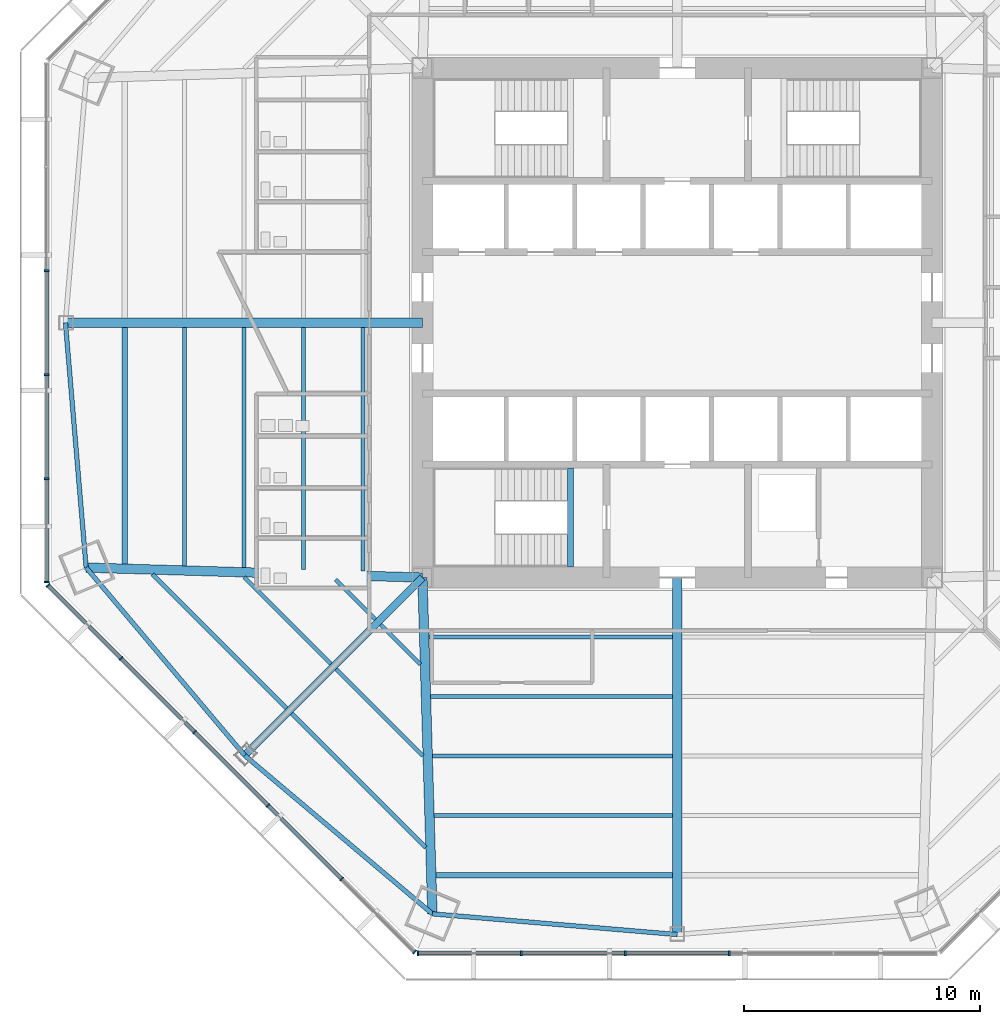
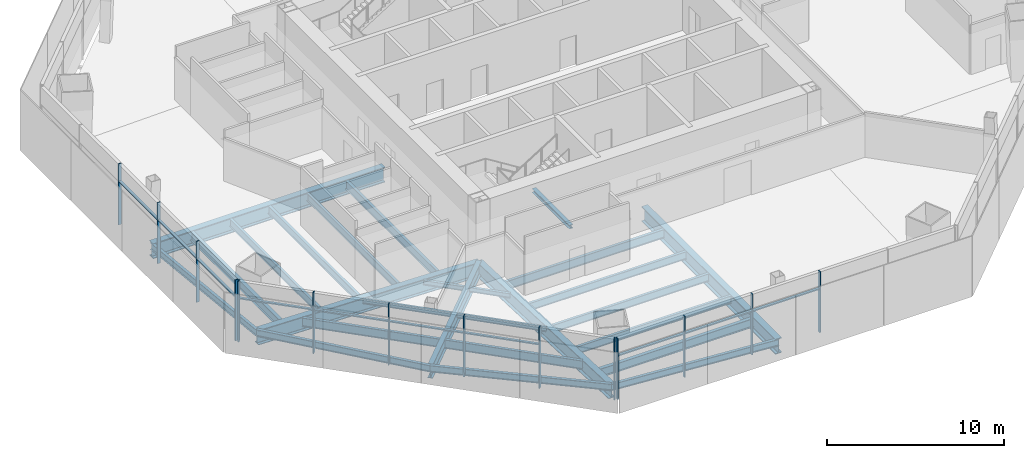
# One storey, part 2 of 13: 26 beams, 24 members, 3 elements without a shape of their own.
"""IFC4 building model written with IfcOpenShell, lengths in metres."""

import ifcopenshell
import ifcopenshell.guid

model = None  # the IFC model being written
_history = None  # IfcOwnerHistory: only IFC2X3 demands one
_inside = {}  # id of a spatial element -> (the spatial element, [elements in it])
_under = {}  # id of a project, library or spatial element -> (it, [spatial elements below it])
_declared = {}  # id of a project -> (the project, [libraries it declares])
_typed = {}  # id of a type object -> (the type object, [elements of that type])
_made_of = {}  # id of a material, layer set ... -> (it, [elements and type objects made of it])


def new_model(schema):
    """Start an empty IFC model of exactly this schema.

    Asked for "IFC4X3", IfcOpenShell would pick the latest addendum, in which some entities
    have other attributes; the version numbers below select the first issue.
    IFC2X3 requires an IfcOwnerHistory on every rooted entity: one is made here for all.
    """
    global model, _history
    if schema == "IFC4X3":
        model = ifcopenshell.file(schema_version=(4, 3, 0, 0))
    else:
        model = ifcopenshell.file(schema=schema)
    _inside.clear()
    _under.clear()
    _declared.clear()
    _typed.clear()
    _made_of.clear()
    _history = None
    if model.schema == "IFC2X3":
        org = make("IfcOrganization", Name="unknown")
        user = make(
            "IfcPersonAndOrganization",
            ThePerson=make("IfcPerson", FamilyName="unknown"),
            TheOrganization=org,
        )
        app = make(
            "IfcApplication",
            ApplicationDeveloper=org,
            Version="unknown",
            ApplicationFullName="unknown",
            ApplicationIdentifier="unknown",
        )
        _history = make(
            "IfcOwnerHistory",
            OwningUser=user,
            OwningApplication=app,
            ChangeAction="ADDED",
            CreationDate=0,
        )
    return model


def make(cls, **values):
    """One entity of the class cls with the attributes given. An attribute that is None is left unset."""
    return model.create_entity(
        cls, **{name: value for name, value in values.items() if value is not None}
    )


def rooted(cls, **values):
    """An entity with a GlobalId (a new one), such as an element, a storey or a relation."""
    return make(cls, GlobalId=ifcopenshell.guid.new(), OwnerHistory=_history, **values)


def si_unit(unit_type, name, prefix=None):
    """IfcSIUnit, for example si_unit("LENGTHUNIT", "METRE", prefix="MILLI")."""
    return make("IfcSIUnit", UnitType=unit_type, Prefix=prefix, Name=name)


def assignment(units):
    """IfcUnitAssignment: the units of a project."""
    return None if units is None else make("IfcUnitAssignment", Units=units)


def point(xyz):
    """IfcCartesianPoint."""
    return None if xyz is None else make("IfcCartesianPoint", Coordinates=xyz)


def direction(xyz):
    """IfcDirection."""
    return None if xyz is None else make("IfcDirection", DirectionRatios=xyz)


def frame(location, z_axis=None, x_axis=None):
    """IfcAxis2Placement3D, a coordinate frame: its origin and axes. An axis left out is left unset."""
    return make(
        "IfcAxis2Placement3D",
        Location=point(location),
        Axis=direction(z_axis),
        RefDirection=direction(x_axis),
    )


def frame_2d(location, x_axis=None):
    """IfcAxis2Placement2D, a coordinate frame in the plane: its origin and x axis."""
    return make(
        "IfcAxis2Placement2D", Location=point(location), RefDirection=direction(x_axis)
    )


def origin():
    """The frame at (0, 0, 0) with its axes left unset."""
    return frame((0.0, 0.0, 0.0))


def origin_2d():
    """The frame at (0, 0) in the plane with its x axis left unset."""
    return frame_2d((0.0, 0.0))


def place(relative_to, where):
    """IfcLocalPlacement: puts the frame where relative to a parent placement (None: the world)."""
    return make(
        "IfcLocalPlacement", PlacementRelTo=relative_to, RelativePlacement=where
    )


def context(
    kind, dimensions, precision=None, world=None, true_north=None, identifier=None
):
    """IfcGeometricRepresentationContext, for example the 3D "Model" context."""
    return make(
        "IfcGeometricRepresentationContext",
        ContextIdentifier=identifier,
        ContextType=kind,
        CoordinateSpaceDimension=dimensions,
        Precision=precision,
        WorldCoordinateSystem=world,
        TrueNorth=true_north,
    )


def subcontext(parent, identifier, kind, view, scale=None):
    """IfcGeometricRepresentationSubContext, for example "Body" below "Model"."""
    return make(
        "IfcGeometricRepresentationSubContext",
        ContextIdentifier=identifier,
        ContextType=kind,
        ParentContext=parent,
        TargetScale=scale,
        TargetView=view,
    )


def project(units=None, contexts=None):
    """IfcProject with its units and contexts."""
    return rooted(
        "IfcProject",
        Name="project",
        RepresentationContexts=contexts,
        UnitsInContext=assignment(units),
    )


def spatial(cls, under=None, at=None, **own):
    """A site, building, storey or space (cls), placed at a placement, below another one or the project."""
    s = rooted(cls, ObjectPlacement=at, **own)
    if under is not None:
        _under.setdefault(under.id(), (under, []))[1].append(s)
    return s


def profile(cls, at=None, kind="AREA", **sizes):
    """A parametric profile (cls). Its sizes go by their IFC names, for example OverallWidth=200.0."""
    return make(cls, ProfileType=kind, Position=at, **sizes)


def rectangle(**sizes):
    """IfcRectangleProfileDef."""
    return profile("IfcRectangleProfileDef", **sizes)


def i_section(**sizes):
    """IfcIShapeProfileDef."""
    return profile("IfcIShapeProfileDef", **sizes)


def extrude(swept, where, along, depth):
    """IfcExtrudedAreaSolid: the profile swept, set in the frame where, extruded along a direction by depth."""
    return make(
        "IfcExtrudedAreaSolid",
        SweptArea=swept,
        Position=where,
        ExtrudedDirection=direction(along),
        Depth=depth,
    )


def shape(context_of_items, identifier, shape_type, items):
    """IfcShapeRepresentation: the items that make up one representation, for example the "Body"."""
    return make(
        "IfcShapeRepresentation",
        ContextOfItems=context_of_items,
        RepresentationIdentifier=identifier,
        RepresentationType=shape_type,
        Items=items,
    )


def source(mapping_origin, context_of_items, identifier, shape_type, items):
    """IfcRepresentationMap: a shape defined once, which mapped items show again and again."""
    return make(
        "IfcRepresentationMap",
        MappingOrigin=mapping_origin,
        MappedRepresentation=shape(context_of_items, identifier, shape_type, items),
    )


def transform(
    local_origin,
    x_axis=None,
    y_axis=None,
    z_axis=None,
    scale=None,
    scale2=None,
    scale3=None,
    uniform=True,
):
    """IfcCartesianTransformationOperator3D, or its non-uniform kind. x_axis, y_axis, z_axis: its Axis1, 2, 3."""
    if uniform:
        return make(
            "IfcCartesianTransformationOperator3D",
            Axis1=direction(x_axis),
            Axis2=direction(y_axis),
            LocalOrigin=point(local_origin),
            Scale=scale,
            Axis3=direction(z_axis),
        )
    return make(
        "IfcCartesianTransformationOperator3DnonUniform",
        Axis1=direction(x_axis),
        Axis2=direction(y_axis),
        LocalOrigin=point(local_origin),
        Scale=scale,
        Axis3=direction(z_axis),
        Scale2=scale2,
        Scale3=scale3,
    )


def mapped(mapping_source, mapping_target):
    """IfcMappedItem: shows the shape of a source again, moved by a transform."""
    return make(
        "IfcMappedItem", MappingSource=mapping_source, MappingTarget=mapping_target
    )


def material(Name=None, Category=None):
    """IfcMaterial."""
    return make("IfcMaterial", Name=Name, Category=Category)


def material_profile(
    of_material, cross_section, Name=None, Category=None, Priority=None
):
    """IfcMaterialProfile: a cross section and its material."""
    return make(
        "IfcMaterialProfile",
        Name=Name,
        Material=of_material,
        Profile=cross_section,
        Priority=Priority,
        Category=Category,
    )


def profile_set(profiles, Name=None, composite=None):
    """IfcMaterialProfileSet."""
    return make(
        "IfcMaterialProfileSet",
        Name=Name,
        MaterialProfiles=profiles,
        CompositeProfile=composite,
    )


def made_of(thing, what):
    """Note that an element or type object is made of a material, layer set ...; save() writes the relation."""
    if what is not None:
        _made_of.setdefault(what.id(), (what, []))[1].append(thing)
    return thing


def type_object(cls, material=None, **own):
    """A type object (cls), such as IfcWallType, which elements share."""
    return made_of(rooted(cls, **own), material)


def type_shapes(of_type, sources):
    """Give a type object the sources (RepresentationMaps) that its elements show as mapped items."""
    of_type.RepresentationMaps = sources


def element(
    cls,
    number,
    at=None,
    inside=None,
    cuts=None,
    type_object=None,
    material=None,
    context=None,
    identifier="Body",
    shape_type=None,
    held_by="IfcProductDefinitionShape",
    body=None,
    shapes=None,
    **own,
):
    """One element of the class cls, such as IfcWall. Its Tag is "e" and its number.

    at: its placement. inside: the storey or other place that contains it. cuts: it is an
    opening in that element (IfcRelVoidsElement). A single representation is given by context,
    identifier, shape_type and body (its items); several are given by shapes. held_by: the class
    of the entity that holds the representations. save() writes the other relations.
    """
    e = rooted(cls, Tag="e%d" % number, ObjectPlacement=at, **own)
    if body is not None:
        shapes = [shape(context, identifier, shape_type, body)]
    if shapes is not None:
        e.Representation = make(held_by, Representations=shapes)
    if inside is not None:
        _inside.setdefault(inside.id(), (inside, []))[1].append(e)
    if cuts is not None:
        rooted(
            "IfcRelVoidsElement", RelatingBuildingElement=cuts, RelatedOpeningElement=e
        )
    if type_object is not None:
        _typed.setdefault(type_object.id(), (type_object, []))[1].append(e)
    return made_of(e, material)


def aggregate(whole, parts):
    """IfcRelAggregates: a whole, such as a stair, and the parts it consists of."""
    return rooted("IfcRelAggregates", RelatingObject=whole, RelatedObjects=parts)


def save(model, path):
    """Write the relations noted so far, then the file.

    IfcRelAggregates (storeys below a building ...), IfcRelContainedInSpatialStructure (elements
    in a storey), IfcRelDefinesByType, IfcRelAssociatesMaterial and IfcRelDeclares: one each for
    every whole, place, type object, material and project.
    """
    for whole, parts in _under.values():
        aggregate(whole, parts)
    for where, things in _inside.values():
        rooted(
            "IfcRelContainedInSpatialStructure",
            RelatedElements=things,
            RelatingStructure=where,
        )
    for kind, things in _typed.values():
        rooted("IfcRelDefinesByType", RelatedObjects=things, RelatingType=kind)
    for what, things in _made_of.values():
        rooted("IfcRelAssociatesMaterial", RelatedObjects=things, RelatingMaterial=what)
    for by, libraries in _declared.values():
        rooted("IfcRelDeclares", RelatingContext=by, RelatedDefinitions=libraries)
    model.write(path)


model = new_model("IFC4")

# Units and contexts
model_context = context("Model", 3, precision=1e-05, world=origin(), true_north=direction((0.0, 1.0)))
body_context = subcontext(model_context, "Body", "Model", "MODEL_VIEW")
ifc_project = project(units=[si_unit("LENGTHUNIT", "METRE"), si_unit("AREAUNIT", "SQUARE_METRE"), si_unit("VOLUMEUNIT", "CUBIC_METRE"), si_unit("PLANEANGLEUNIT", "RADIAN"), si_unit("MASSUNIT", "GRAM", prefix="KILO")], contexts=[model_context])

# Site, building, storey
site_placement = place(None, origin())
site = spatial("IfcSite", under=ifc_project, at=site_placement, CompositionType="ELEMENT")
building_placement = place(site_placement, origin())
building = spatial("IfcBuilding", under=site, at=building_placement, Name="Mashrafa Tower", CompositionType="ELEMENT")
storey_placement = place(building_placement, frame((0.0, 0.0, 45.60009765625)))
storey = spatial("IfcBuildingStorey", under=building, at=storey_placement, Name="L09", CompositionType="ELEMENT", Elevation=45.60009765625)

# Beams
ifc_material_1 = material(Name="Steel ASTM A992", Category="steel")
ifc_material_profile_1 = material_profile(ifc_material_1, i_section(OverallWidth=0.164794921875, OverallDepth=0.309814453125, WebThickness=0.005859375, FlangeThickness=0.009765625, FilletRadius=0.007568359375, at=origin_2d()), Name="W12X26")
ifc_profile_set_1 = profile_set([ifc_material_profile_1], Name="Steel ASTM A992")
beam_type_1 = type_object("IfcBeamType", Name="Beam W12X26", PredefinedType="BEAM", material=ifc_profile_set_1)
beam_1_placement = place(storey_placement, frame((-14.67626953125, -14.458740234375, -0.320068359375), z_axis=(-0.707083341053, 0.707130220543, 0.0), x_axis=(-0.707130220543, -0.707083341053, 0.0)))
element("IfcBeam", 1, at=beam_1_placement, inside=storey, type_object=beam_type_1, Name="Floor beam L09 014", PredefinedType="BEAM", context=body_context, shape_type="SweptSolid", body=[
    extrude(i_section(OverallWidth=0.164794921875, OverallDepth=0.309814453125, WebThickness=0.005859375, FlangeThickness=0.009765625, FilletRadius=0.007568359375, at=origin_2d()), origin(), (0.0, 0.0, 1.0), 5.207763671875),
])
for number, where, z_axis, x_axis, name in (
    (2, (-12.79248046875, -12.574951171875, -0.320068359375), (-0.707106781187, 0.707106781187, 0.0), (-0.707106781187, -0.707106781187, 0.0), "Floor beam L09 018"),
    (3, (-10.8916015625, -14.475830078125, -0.320068359375), (-0.707106781187, 0.707106781187, 0.0), (-0.707106781187, -0.707106781187, 0.0), "Floor beam L09 021"),
):
    element("IfcBeam", number, at=place(storey_placement, frame(where, z_axis=z_axis, x_axis=x_axis)), inside=storey, type_object=beam_type_1, Name=name, PredefinedType="BEAM", context=body_context, shape_type="SweptSolid", body=[
        extrude(i_section(OverallWidth=0.164794921875, OverallDepth=0.309814453125, WebThickness=0.005859375, FlangeThickness=0.009765625, FilletRadius=0.007568359375, at=origin_2d()), origin(), (0.0, 0.0, 1.0), 2.380615234375),
    ])
beam_2_placement = place(storey_placement, frame((-10.776123046875, -18.358642578125, -0.320068359375), z_axis=(-0.707130220543, 0.707083341053, 0.0), x_axis=(-0.707083341053, -0.707130220543, 0.0)))
element("IfcBeam", 4, at=beam_2_placement, inside=storey, type_object=beam_type_1, Name="Floor beam L09 024", PredefinedType="BEAM", context=body_context, shape_type="SweptSolid", body=[
    extrude(i_section(OverallWidth=0.164794921875, OverallDepth=0.309814453125, WebThickness=0.005859375, FlangeThickness=0.009765625, FilletRadius=0.007568359375, at=origin_2d()), origin(), (0.0, 0.0, 1.0), 5.207763671875),
])
ifc_material_2 = material(Name="Steel ASTM A992", Category="steel")
ifc_material_profile_2 = material_profile(ifc_material_2, i_section(OverallWidth=0.191162109375, OverallDepth=0.459716796875, WebThickness=0.010009765625, FlangeThickness=0.01611328125, FilletRadius=0.01025390625, at=origin_2d()), Name="W18X55")
ifc_profile_set_2 = profile_set([ifc_material_profile_2], Name="Steel ASTM A992")
beam_type_2 = type_object("IfcBeamType", Name="Beam W18X55", PredefinedType="BEAM", material=ifc_profile_set_2)
beam_3_placement = place(storey_placement, frame((-25.929443359375, 0.0, -0.39501953125), z_axis=(0.084327875805, -0.996438060976, 0.0), x_axis=(0.996438060976, 0.084327875805, 0.0)))
element("IfcBeam", 5, at=beam_3_placement, inside=storey, type_object=beam_type_2, Name="Spandrel beam L09 081", PredefinedType="BEAM", context=body_context, shape_type="SweptSolid", body=[
    extrude(i_section(OverallWidth=0.191162109375, OverallDepth=0.459716796875, WebThickness=0.010009765625, FlangeThickness=0.01611328125, FilletRadius=0.01025390625, at=origin_2d()), origin(), (0.0, 0.0, 1.0), 10.413818359375),
])
for number, where, z_axis, x_axis, name in (
    (6, (-25.05126953125, -10.376708984375, -0.39501953125), (0.64495695608, -0.764218898486, 0.0), (0.764218898486, 0.64495695608, 0.0), "Spandrel beam L09 082"),
    (7, (-18.3349609375, -18.3349609375, -0.39501953125), (0.764218898486, -0.64495695608, 0.0), (0.64495695608, 0.764218898486, 0.0), "Spandrel beam L09 084"),
):
    element("IfcBeam", number, at=place(storey_placement, frame(where, z_axis=z_axis, x_axis=x_axis)), inside=storey, type_object=beam_type_2, Name=name, PredefinedType="BEAM", context=body_context, shape_type="SweptSolid", body=[
        extrude(i_section(OverallWidth=0.191162109375, OverallDepth=0.459716796875, WebThickness=0.010009765625, FlangeThickness=0.01611328125, FilletRadius=0.01025390625, at=origin_2d()), origin(), (0.0, 0.0, 1.0), 10.41357421875),
    ])
beam_4_placement = place(storey_placement, frame((-10.376708984375, -25.05126953125, -0.39501953125), z_axis=(0.996438060976, -0.084327875805, 0.0), x_axis=(0.084327875805, 0.996438060976, 0.0)))
element("IfcBeam", 8, at=beam_4_placement, inside=storey, type_object=beam_type_2, Name="Spandrel beam L09 086", PredefinedType="BEAM", context=body_context, shape_type="SweptSolid", body=[
    extrude(i_section(OverallWidth=0.191162109375, OverallDepth=0.459716796875, WebThickness=0.010009765625, FlangeThickness=0.01611328125, FilletRadius=0.01025390625, at=origin_2d()), origin(), (0.0, 0.0, 1.0), 10.413818359375),
])
ifc_material_3 = material(Name="Steel ASTM A992", Category="steel")
ifc_material_profile_3 = material_profile(ifc_material_3, i_section(OverallWidth=0.1650390625, OverallDepth=0.52587890625, WebThickness=0.0087890625, FlangeThickness=0.011474609375, FilletRadius=0.0126953125, at=origin_2d()), Name="W21X44")
ifc_profile_set_3 = profile_set([ifc_material_profile_3], Name="Steel ASTM A992")
beam_type_3 = type_object("IfcBeamType", Name="Beam W21X44", PredefinedType="BEAM", material=ifc_profile_set_3)
for number, where, z_axis, x_axis, name in (
    (9, (-20.88623046875, -10.299560546875, -0.427978515625), (0.0, 1.0, 0.0), (-1.0, 0.0, 0.0), "Floor beam L09 004"),
    (10, (-0.20458984375, -20.88623046875, -0.427978515625), (-1.0, 0.0, 0.0), (0.0, -1.0, 0.0), "Floor beam L09 029"),
):
    element("IfcBeam", number, at=place(storey_placement, frame(where, z_axis=z_axis, x_axis=x_axis)), inside=storey, type_object=beam_type_3, Name=name, PredefinedType="BEAM", context=body_context, shape_type="SweptSolid", body=[
        extrude(i_section(OverallWidth=0.1650390625, OverallDepth=0.52587890625, WebThickness=0.0087890625, FlangeThickness=0.011474609375, FilletRadius=0.0126953125, at=origin_2d()), origin(), (0.0, 0.0, 1.0), 10.094970703125),
    ])
ifc_material_4 = material(Name="Steel ASTM A992", Category="steel")
ifc_material_profile_4 = material_profile(ifc_material_4, i_section(OverallWidth=0.165771484375, OverallDepth=0.5283203125, WebThickness=0.009765625, FlangeThickness=0.013671875, FilletRadius=0.012939453125, at=origin_2d()), Name="W21X50")
ifc_profile_set_4 = profile_set([ifc_material_profile_4], Name="Steel ASTM A992")
beam_type_4 = type_object("IfcBeamType", Name="Beam W21X50", PredefinedType="BEAM", material=ifc_profile_set_4)
beam_5_placement = place(storey_placement, frame((-18.36474609375, -10.37451171875, -0.42919921875), z_axis=(0.0, 1.0, 0.0), x_axis=(-1.0, 0.0, 0.0)))
element("IfcBeam", 11, at=beam_5_placement, inside=storey, type_object=beam_type_4, Name="Floor beam L09 007", PredefinedType="BEAM", context=body_context, shape_type="SweptSolid", body=[
    extrude(i_section(OverallWidth=0.165771484375, OverallDepth=0.5283203125, WebThickness=0.009765625, FlangeThickness=0.013671875, FilletRadius=0.012939453125, at=origin_2d()), origin(), (0.0, 0.0, 1.0), 10.169921875),
])
beam_6_placement = place(storey_placement, frame((-15.843017578125, -10.449462890625, -0.42919921875), z_axis=(0.0, 1.0, 0.0), x_axis=(-1.0, 0.0, 0.0)))
element("IfcBeam", 12, at=beam_6_placement, inside=storey, type_object=beam_type_4, Name="Floor beam L09 011", PredefinedType="BEAM", context=body_context, shape_type="SweptSolid", body=[
    extrude(i_section(OverallWidth=0.165771484375, OverallDepth=0.5283203125, WebThickness=0.009765625, FlangeThickness=0.013671875, FilletRadius=0.012939453125, at=origin_2d()), origin(), (0.0, 0.0, 1.0), 10.244873046875),
])
beam_7_placement = place(storey_placement, frame((-0.20458984375, -18.36474609375, -0.42919921875), z_axis=(-1.0, 0.0, 0.0), x_axis=(0.0, -1.0, 0.0)))
element("IfcBeam", 13, at=beam_7_placement, inside=storey, type_object=beam_type_4, Name="Floor beam L09 030", PredefinedType="BEAM", context=body_context, shape_type="SweptSolid", body=[
    extrude(i_section(OverallWidth=0.165771484375, OverallDepth=0.5283203125, WebThickness=0.009765625, FlangeThickness=0.013671875, FilletRadius=0.012939453125, at=origin_2d()), origin(), (0.0, 0.0, 1.0), 10.169921875),
])
beam_8_placement = place(storey_placement, frame((-0.20458984375, -15.843017578125, -0.42919921875), z_axis=(-1.0, 0.0, 0.0), x_axis=(0.0, -1.0, 0.0)))
element("IfcBeam", 14, at=beam_8_placement, inside=storey, type_object=beam_type_4, Name="Floor beam L09 031", PredefinedType="BEAM", context=body_context, shape_type="SweptSolid", body=[
    extrude(i_section(OverallWidth=0.165771484375, OverallDepth=0.5283203125, WebThickness=0.009765625, FlangeThickness=0.013671875, FilletRadius=0.012939453125, at=origin_2d()), origin(), (0.0, 0.0, 1.0), 10.244873046875),
])
ifc_material_5 = material(Name="Steel ASTM A992", Category="steel")
ifc_material_profile_5 = material_profile(ifc_material_5, i_section(OverallWidth=0.177978515625, OverallDepth=0.599365234375, WebThickness=0.010009765625, FlangeThickness=0.012939453125, FilletRadius=0.012939453125, at=origin_2d()), Name="W24X55")
ifc_profile_set_5 = profile_set([ifc_material_profile_5], Name="Steel ASTM A992")
beam_type_5 = type_object("IfcBeamType", Name="Beam W24X55", PredefinedType="BEAM", material=ifc_profile_set_5)
beam_9_placement = place(storey_placement, frame((-16.559814453125, -16.342529296875, -0.46484375), z_axis=(-0.707106781187, 0.707106781187, 0.0), x_axis=(-0.707106781187, -0.707106781187, 0.0)))
element("IfcBeam", 15, at=beam_9_placement, inside=storey, type_object=beam_type_5, Name="Floor beam L09 009", PredefinedType="BEAM", context=body_context, shape_type="SweptSolid", body=[
    extrude(i_section(OverallWidth=0.177978515625, OverallDepth=0.599365234375, WebThickness=0.010009765625, FlangeThickness=0.012939453125, FilletRadius=0.012939453125, at=origin_2d()), origin(), (0.0, 0.0, 1.0), 8.03515625),
])
beam_10_placement = place(storey_placement, frame((-13.321533203125, -10.5244140625, -0.46484375), z_axis=(0.0, 1.0, 0.0), x_axis=(-1.0, 0.0, 0.0)))
element("IfcBeam", 16, at=beam_10_placement, inside=storey, type_object=beam_type_5, Name="Floor beam L09 016", PredefinedType="BEAM", context=body_context, shape_type="SweptSolid", body=[
    extrude(i_section(OverallWidth=0.177978515625, OverallDepth=0.599365234375, WebThickness=0.010009765625, FlangeThickness=0.012939453125, FilletRadius=0.012939453125, at=origin_2d()), origin(), (0.0, 0.0, 1.0), 10.31982421875),
])
beam_11_placement = place(storey_placement, frame((-10.660888671875, -22.241455078125, -0.46484375), z_axis=(-0.707106781187, 0.707106781187, 0.0), x_axis=(-0.707106781187, -0.707106781187, 0.0)))
element("IfcBeam", 17, at=beam_11_placement, inside=storey, type_object=beam_type_5, Name="Floor beam L09 026", PredefinedType="BEAM", context=body_context, shape_type="SweptSolid", body=[
    extrude(i_section(OverallWidth=0.177978515625, OverallDepth=0.599365234375, WebThickness=0.010009765625, FlangeThickness=0.012939453125, FilletRadius=0.012939453125, at=origin_2d()), origin(), (0.0, 0.0, 1.0), 8.03515625),
])
beam_12_placement = place(storey_placement, frame((-0.20458984375, -13.321533203125, -0.46484375), z_axis=(-1.0, 0.0, 0.0), x_axis=(0.0, -1.0, 0.0)))
element("IfcBeam", 18, at=beam_12_placement, inside=storey, type_object=beam_type_5, Name="Floor beam L09 032", PredefinedType="BEAM", context=body_context, shape_type="SweptSolid", body=[
    extrude(i_section(OverallWidth=0.177978515625, OverallDepth=0.599365234375, WebThickness=0.010009765625, FlangeThickness=0.012939453125, FilletRadius=0.012939453125, at=origin_2d()), origin(), (0.0, 0.0, 1.0), 10.31982421875),
])
ifc_material_6 = material(Name="Steel ASTM A992", Category="steel")
ifc_material_profile_6 = material_profile(ifc_material_6, i_section(OverallWidth=0.227783203125, OverallDepth=0.60205078125, WebThickness=0.010498046875, FlangeThickness=0.014892578125, FilletRadius=0.012939453125, at=origin_2d()), Name="W24X68")
ifc_profile_set_6 = profile_set([ifc_material_profile_6], Name="Steel ASTM A992")
beam_type_6 = type_object("IfcBeamType", Name="Beam W24X68", PredefinedType="BEAM", material=ifc_profile_set_6)
for number, where, z_axis, x_axis, name in (
    (19, (-23.40771484375, -10.224609375, -0.466064453125), (0.0, 1.0, 0.0), (-1.0, 0.0, 0.0), "Floor beam L09 001"),
    (20, (-0.20458984375, -23.40771484375, -0.466064453125), (-1.0, 0.0, 0.0), (0.0, -1.0, 0.0), "Floor beam L09 028"),
):
    element("IfcBeam", number, at=place(storey_placement, frame(where, z_axis=z_axis, x_axis=x_axis)), inside=storey, type_object=beam_type_6, Name=name, PredefinedType="BEAM", context=body_context, shape_type="SweptSolid", body=[
        extrude(i_section(OverallWidth=0.227783203125, OverallDepth=0.60205078125, WebThickness=0.010498046875, FlangeThickness=0.014892578125, FilletRadius=0.012939453125, at=origin_2d()), origin(), (0.0, 0.0, 1.0), 10.02001953125),
    ])
ifc_material_7 = material(Name="Steel ASTM A992", Category="steel")
ifc_material_profile_7 = material_profile(ifc_material_7, i_section(OverallWidth=0.307373046875, OverallDepth=0.927001953125, WebThickness=0.01953125, FlangeThickness=0.031982421875, FilletRadius=0.01904296875, at=origin_2d()), Name="W36X194")
ifc_profile_set_7 = profile_set([ifc_material_profile_7], Name="Steel ASTM A992")
beam_type_7 = type_object("IfcBeamType", Name="Beam W36X194", PredefinedType="BEAM", material=ifc_profile_set_7)
beam_13_placement = place(storey_placement, frame((-10.800048828125, -10.800048828125, -0.628662109375), z_axis=(-0.707106781187, -0.707106781187, 0.0), x_axis=(0.707106781187, -0.707106781187, 0.0)))
element("IfcBeam", 21, at=beam_13_placement, inside=storey, type_object=beam_type_7, Name="Radial girder L09 066", PredefinedType="BEAM", context=body_context, shape_type="SweptSolid", body=[
    extrude(i_section(OverallWidth=0.307373046875, OverallDepth=0.927001953125, WebThickness=0.01953125, FlangeThickness=0.031982421875, FilletRadius=0.01904296875, at=origin_2d()), origin(), (0.0, 0.0, 1.0), 10.656005859375),
])
ifc_material_8 = material(Name="Steel ASTM A992", Category="steel")
ifc_material_profile_8 = material_profile(ifc_material_8, i_section(OverallWidth=0.4013671875, OverallDepth=1.010986328125, WebThickness=0.023681640625, FlangeThickness=0.0419921875, FilletRadius=0.02001953125, at=origin_2d()), Name="W40X297")
ifc_profile_set_8 = profile_set([ifc_material_profile_8], Name="Steel ASTM A992")
beam_type_8 = type_object("IfcBeamType", Name="Beam W40X297", PredefinedType="BEAM", material=ifc_profile_set_8)
for number, where, z_axis, x_axis, name in (
    (22, (-10.800048828125, -10.800048828125, -0.670654296875), (-0.999559082986, 0.029692416869, 0.0), (-0.029692416869, -0.999559082986, 0.0), "Radial girder L09 065"),
    (23, (-10.800048828125, -10.800048828125, -0.670654296875), (0.029692416869, -0.999559082986, 0.0), (0.999559082986, 0.029692416869, 0.0), "Radial girder L09 067"),
):
    element("IfcBeam", number, at=place(storey_placement, frame(where, z_axis=z_axis, x_axis=x_axis)), inside=storey, type_object=beam_type_8, Name=name, PredefinedType="BEAM", context=body_context, shape_type="SweptSolid", body=[
        extrude(i_section(OverallWidth=0.4013671875, OverallDepth=1.010986328125, WebThickness=0.023681640625, FlangeThickness=0.0419921875, FilletRadius=0.02001953125, at=origin_2d()), origin(), (0.0, 0.0, 1.0), 14.257568359375),
    ])
ifc_material_9 = material(Name="Steel ASTM A992", Category="steel")
ifc_material_profile_9 = material_profile(ifc_material_9, i_section(OverallWidth=0.408935546875, OverallDepth=1.04150390625, WebThickness=0.031005859375, FlangeThickness=0.055908203125, FilletRadius=0.020263671875, at=origin_2d()), Name="W40X397")
ifc_profile_set_9 = profile_set([ifc_material_profile_9], Name="Steel ASTM A992")
beam_type_9 = type_object("IfcBeamType", Name="Beam W40X397", PredefinedType="BEAM", material=ifc_profile_set_9)
for number, where, z_axis, x_axis, name in (
    (24, (-10.800048828125, 0.0, -0.685791015625), (-1.0, 0.0, 0.0), (0.0, -1.0, 0.0), "Radial girder L09 068"),
    (25, (0.0, -10.800048828125, -0.685791015625), (0.0, -1.0, 0.0), (1.0, 0.0, 0.0), "Radial girder L09 072"),
):
    element("IfcBeam", number, at=place(storey_placement, frame(where, z_axis=z_axis, x_axis=x_axis)), inside=storey, type_object=beam_type_9, Name=name, PredefinedType="BEAM", context=body_context, shape_type="SweptSolid", body=[
        extrude(i_section(OverallWidth=0.408935546875, OverallDepth=1.04150390625, WebThickness=0.031005859375, FlangeThickness=0.055908203125, FilletRadius=0.020263671875, at=origin_2d()), origin(), (0.0, 0.0, 1.0), 15.12939453125),
    ])
ifc_material_10 = material(Name="Steel ASTM A992", Category="steel")
ifc_material_profile_10 = material_profile(ifc_material_10, i_section(OverallWidth=0.25390625, OverallDepth=0.25390625, WebThickness=0.008544921875, FlangeThickness=0.01416015625, FilletRadius=0.010009765625, at=origin_2d()), Name="W10X49")
ifc_profile_set_10 = profile_set([ifc_material_profile_10], Name="Steel ASTM A992")
beam_type_10 = type_object("IfcBeamType", Name="Hoistway beam W10X49", PredefinedType="BEAM", material=ifc_profile_set_10)
beam_14_placement = place(storey_placement, frame((-4.530029296875, -10.35009765625, -0.3271484375), z_axis=(0.0, 1.0, 0.0), x_axis=(-1.0, 0.0, 0.0)))
element("IfcBeam", 26, at=beam_14_placement, inside=storey, type_object=beam_type_10, Name="Stair S3 landing beam L09", PredefinedType="BEAM", context=body_context, shape_type="SweptSolid", body=[
    extrude(i_section(OverallWidth=0.25390625, OverallDepth=0.25390625, WebThickness=0.008544921875, FlangeThickness=0.01416015625, FilletRadius=0.010009765625, at=origin_2d()), origin(), (0.0, 0.0, 1.0), 4.2001953125),
])

# Curtain wall, members
ifc_material_11 = material(Name="Unitised aluminium curtain wall", Category="aluminium")
curtain_wall_type = type_object("IfcCurtainWallType", Name="Office curtain wall, zone 1 CW-A 200 deep", PredefinedType="NOTDEFINED", material=ifc_material_11)
curtain_wall_1_placement = place(storey_placement, origin())
curtain_wall_1 = element("IfcCurtainWall", 27, at=curtain_wall_1_placement, inside=storey, type_object=curtain_wall_type, Name="Office curtain wall, zone 1 L09 west", PredefinedType="NOTDEFINED")
ifc_material_12 = material(Name="Extruded aluminium mullion", Category="aluminium")
ifc_material_profile_11 = material_profile(ifc_material_12, rectangle(XDim=0.199951171875, YDim=0.06494140625, at=origin_2d()), Name="Mullion 65x200")
ifc_profile_set_11 = profile_set([ifc_material_profile_11], Name="Extruded aluminium mullion")
member_type_1 = type_object("IfcMemberType", Name="Mullion CW-A 65 x 200", PredefinedType="MULLION", material=ifc_profile_set_11)
shared_shape_1 = source(origin(), body_context, "Body", "SweptSolid", [
    extrude(rectangle(XDim=0.199951171875, YDim=0.06494140625, at=origin_2d()), origin(), (0.0, 0.0, 1.0), 4.199951171875),
])
type_shapes(member_type_1, [shared_shape_1])
member_1_placement = place(storey_placement, frame((-26.724853515625, 2.20361328125, 0.0), z_axis=(0.0, 0.0, 1.0), x_axis=(1.0, 0.0, 0.0)))
member_1 = element("IfcMember", 28, at=member_1_placement, type_object=member_type_1, Name="CW-A mullion 3", PredefinedType="MULLION", context=body_context, shape_type="MappedRepresentation", body=[
    mapped(shared_shape_1, transform((0.0, 0.0, 0.0))),
])
member_2_placement = place(storey_placement, frame((-26.724853515625, -2.20361328125, 0.0), z_axis=(0.0, 0.0, 1.0), x_axis=(1.0, 0.0, 0.0)))
member_2 = element("IfcMember", 29, at=member_2_placement, type_object=member_type_1, Name="CW-A mullion 4", PredefinedType="MULLION", context=body_context, shape_type="MappedRepresentation", body=[
    mapped(shared_shape_1, transform((0.0, 0.0, 0.0))),
])
member_3_placement = place(storey_placement, frame((-26.724853515625, -6.611083984375, 0.0), z_axis=(0.0, 0.0, 1.0), x_axis=(1.0, 0.0, 0.0)))
member_3 = element("IfcMember", 30, at=member_3_placement, type_object=member_type_1, Name="CW-A mullion 5", PredefinedType="MULLION", context=body_context, shape_type="MappedRepresentation", body=[
    mapped(shared_shape_1, transform((0.0, 0.0, 0.0))),
])
member_4_placement = place(storey_placement, frame((-26.724853515625, -10.98583984375, 0.0), z_axis=(0.0, 0.0, 1.0), x_axis=(1.0, 0.0, 0.0)))
member_4 = element("IfcMember", 31, at=member_4_placement, type_object=member_type_1, Name="CW-A mullion 6", PredefinedType="MULLION", context=body_context, shape_type="MappedRepresentation", body=[
    mapped(shared_shape_1, transform((0.0, 0.0, 0.0))),
])

curtain_wall_2_placement = place(storey_placement, origin())
curtain_wall_2 = element("IfcCurtainWall", 32, at=curtain_wall_2_placement, inside=storey, type_object=curtain_wall_type, Name="Office curtain wall, zone 1 L09 south-west", PredefinedType="NOTDEFINED")
member_5_placement = place(storey_placement, frame((-26.66552734375, -11.129150390625, 0.0), z_axis=(0.0, 0.0, 1.0), x_axis=(0.707106781187, 0.707106781187, 0.0)))
member_5 = element("IfcMember", 33, at=member_5_placement, type_object=member_type_1, Name="CW-A mullion 1", PredefinedType="MULLION", context=body_context, shape_type="MappedRepresentation", body=[
    mapped(shared_shape_1, transform((0.0, 0.0, 0.0))),
])
member_6_placement = place(storey_placement, frame((-23.572021484375, -14.22265625, 0.0), z_axis=(0.0, 0.0, 1.0), x_axis=(0.707106781187, 0.707106781187, 0.0)))
member_6 = element("IfcMember", 34, at=member_6_placement, type_object=member_type_1, Name="CW-A mullion 2", PredefinedType="MULLION", context=body_context, shape_type="MappedRepresentation", body=[
    mapped(shared_shape_1, transform((0.0, 0.0, 0.0))),
])
member_7_placement = place(storey_placement, frame((-20.45556640625, -17.339111328125, 0.0), z_axis=(0.0, 0.0, 1.0), x_axis=(0.707106781187, 0.707106781187, 0.0)))
member_7 = element("IfcMember", 35, at=member_7_placement, type_object=member_type_1, Name="CW-A mullion 3", PredefinedType="MULLION", context=body_context, shape_type="MappedRepresentation", body=[
    mapped(shared_shape_1, transform((0.0, 0.0, 0.0))),
])
member_8_placement = place(storey_placement, frame((-17.339111328125, -20.45556640625, 0.0), z_axis=(0.0, 0.0, 1.0), x_axis=(0.707106781187, 0.707106781187, 0.0)))
member_8 = element("IfcMember", 36, at=member_8_placement, type_object=member_type_1, Name="CW-A mullion 4", PredefinedType="MULLION", context=body_context, shape_type="MappedRepresentation", body=[
    mapped(shared_shape_1, transform((0.0, 0.0, 0.0))),
])
member_9_placement = place(storey_placement, frame((-14.22265625, -23.572021484375, 0.0), z_axis=(0.0, 0.0, 1.0), x_axis=(0.707106781187, 0.707106781187, 0.0)))
member_9 = element("IfcMember", 37, at=member_9_placement, type_object=member_type_1, Name="CW-A mullion 5", PredefinedType="MULLION", context=body_context, shape_type="MappedRepresentation", body=[
    mapped(shared_shape_1, transform((0.0, 0.0, 0.0))),
])
member_10_placement = place(storey_placement, frame((-11.129150390625, -26.66552734375, 0.0), z_axis=(0.0, 0.0, 1.0), x_axis=(0.707106781187, 0.707106781187, 0.0)))
member_10 = element("IfcMember", 38, at=member_10_placement, type_object=member_type_1, Name="CW-A mullion 6", PredefinedType="MULLION", context=body_context, shape_type="MappedRepresentation", body=[
    mapped(shared_shape_1, transform((0.0, 0.0, 0.0))),
])

curtain_wall_3_placement = place(storey_placement, origin())
curtain_wall_3 = element("IfcCurtainWall", 39, at=curtain_wall_3_placement, inside=storey, type_object=curtain_wall_type, Name="Office curtain wall, zone 1 L09 south", PredefinedType="NOTDEFINED")
member_11_placement = place(storey_placement, frame((-10.98583984375, -26.724853515625, 0.0), z_axis=(0.0, 0.0, 1.0), x_axis=(0.0, 1.0, 0.0)))
member_11 = element("IfcMember", 40, at=member_11_placement, type_object=member_type_1, Name="CW-A mullion 1", PredefinedType="MULLION", context=body_context, shape_type="MappedRepresentation", body=[
    mapped(shared_shape_1, transform((0.0, 0.0, 0.0))),
])
member_12_placement = place(storey_placement, frame((-6.611083984375, -26.724853515625, 0.0), z_axis=(0.0, 0.0, 1.0), x_axis=(0.0, 1.0, 0.0)))
member_12 = element("IfcMember", 41, at=member_12_placement, type_object=member_type_1, Name="CW-A mullion 2", PredefinedType="MULLION", context=body_context, shape_type="MappedRepresentation", body=[
    mapped(shared_shape_1, transform((0.0, 0.0, 0.0))),
])
member_13_placement = place(storey_placement, frame((-2.20361328125, -26.724853515625, 0.0), z_axis=(0.0, 0.0, 1.0), x_axis=(0.0, 1.0, 0.0)))
member_13 = element("IfcMember", 42, at=member_13_placement, type_object=member_type_1, Name="CW-A mullion 3", PredefinedType="MULLION", context=body_context, shape_type="MappedRepresentation", body=[
    mapped(shared_shape_1, transform((0.0, 0.0, 0.0))),
])
member_14_placement = place(storey_placement, frame((2.20361328125, -26.724853515625, 0.0), z_axis=(0.0, 0.0, 1.0), x_axis=(0.0, 1.0, 0.0)))
member_14 = element("IfcMember", 43, at=member_14_placement, type_object=member_type_1, Name="CW-A mullion 4", PredefinedType="MULLION", context=body_context, shape_type="MappedRepresentation", body=[
    mapped(shared_shape_1, transform((0.0, 0.0, 0.0))),
])

# Member
ifc_material_13 = material(Name="Extruded aluminium transom", Category="aluminium")
ifc_material_profile_12 = material_profile(ifc_material_13, rectangle(XDim=0.159912109375, YDim=0.080078125, at=origin_2d()), Name="Transom 80x160")
ifc_profile_set_12 = profile_set([ifc_material_profile_12], Name="Extruded aluminium transom")
member_type_2 = type_object("IfcMemberType", Name="Transom CW-A 80 x 160", PredefinedType="MULLION", material=ifc_profile_set_12)
shared_shape_2 = source(origin(), body_context, "Body", "SweptSolid", [
    extrude(rectangle(XDim=0.159912109375, YDim=0.080078125, at=origin_2d()), origin(), (0.0, 0.0, 1.0), 4.309814453125),
])
member_15_placement = place(storey_placement, frame((-26.724853515625, -6.6435546875, 3.0), z_axis=(0.0, -1.0, 0.0), x_axis=(1.0, 0.0, 0.0)))
member_15 = element("IfcMember", 44, at=member_15_placement, type_object=member_type_2, Name="CW-A transom 5", PredefinedType="MULLION", context=body_context, shape_type="MappedRepresentation", body=[
    mapped(shared_shape_2, transform((0.0, 0.0, 0.0))),
])

member_16_placement = place(storey_placement, frame((-26.642333984375, -11.152099609375, 3.0), z_axis=(0.707078456695, -0.707135104544, 0.0), x_axis=(0.707135104544, 0.707078456695, 0.0)))
member_16 = element("IfcMember", 45, at=member_16_placement, type_object=member_type_2, Name="CW-A transom 1", PredefinedType="MULLION", context=body_context, shape_type="MappedRepresentation", body=[
    mapped(shared_shape_2, transform((0.0, 0.0, 0.0))),
])

member_17_placement = place(storey_placement, frame((-10.953369140625, -26.724853515625, 3.0), z_axis=(1.0, 0.0, 0.0), x_axis=(0.0, 1.0, 0.0)))
member_17 = element("IfcMember", 46, at=member_17_placement, type_object=member_type_2, Name="CW-A transom 1", PredefinedType="MULLION", context=body_context, shape_type="MappedRepresentation", body=[
    mapped(shared_shape_2, transform((0.0, 0.0, 0.0))),
])

shared_shape_3 = source(origin(), body_context, "Body", "SweptSolid", [
    extrude(rectangle(XDim=0.159912109375, YDim=0.080078125, at=origin_2d()), origin(), (0.0, 0.0, 1.0), 4.342529296875),
])
member_18_placement = place(storey_placement, frame((-26.724853515625, -2.236083984375, 3.0), z_axis=(0.0, -1.0, 0.0), x_axis=(1.0, 0.0, 0.0)))
member_18 = element("IfcMember", 47, at=member_18_placement, type_object=member_type_2, Name="CW-A transom 4", PredefinedType="MULLION", context=body_context, shape_type="MappedRepresentation", body=[
    mapped(shared_shape_3, transform((0.0, 0.0, 0.0))),
])

member_19_placement = place(storey_placement, frame((-23.549072265625, -14.24560546875, 3.0), z_axis=(0.707106781187, -0.707106781187, 0.0), x_axis=(0.707106781187, 0.707106781187, 0.0)))
member_19 = element("IfcMember", 48, at=member_19_placement, type_object=member_type_2, Name="CW-A transom 2", PredefinedType="MULLION", context=body_context, shape_type="MappedRepresentation", body=[
    mapped(shared_shape_3, transform((0.0, 0.0, 0.0))),
])

member_20_placement = place(storey_placement, frame((-20.4326171875, -17.362060546875, 3.0), z_axis=(0.707106781187, -0.707106781187, 0.0), x_axis=(0.707106781187, 0.707106781187, 0.0)))
member_20 = element("IfcMember", 49, at=member_20_placement, type_object=member_type_2, Name="CW-A transom 3", PredefinedType="MULLION", context=body_context, shape_type="MappedRepresentation", body=[
    mapped(shared_shape_3, transform((0.0, 0.0, 0.0))),
])

member_21_placement = place(storey_placement, frame((-17.316162109375, -20.478515625, 3.0), z_axis=(0.707106781187, -0.707106781187, 0.0), x_axis=(0.707106781187, 0.707106781187, 0.0)))
member_21 = element("IfcMember", 50, at=member_21_placement, type_object=member_type_2, Name="CW-A transom 4", PredefinedType="MULLION", context=body_context, shape_type="MappedRepresentation", body=[
    mapped(shared_shape_3, transform((0.0, 0.0, 0.0))),
])

aggregate(curtain_wall_2, [member_5, member_6, member_7, member_8, member_9, member_10, member_16, member_19, member_20, member_21])

member_22_placement = place(storey_placement, frame((-6.57861328125, -26.724853515625, 3.0), z_axis=(1.0, 0.0, 0.0), x_axis=(0.0, 1.0, 0.0)))
member_22 = element("IfcMember", 51, at=member_22_placement, type_object=member_type_2, Name="CW-A transom 2", PredefinedType="MULLION", context=body_context, shape_type="MappedRepresentation", body=[
    mapped(shared_shape_3, transform((0.0, 0.0, 0.0))),
])

shared_shape_4 = source(origin(), body_context, "Body", "SweptSolid", [
    extrude(rectangle(XDim=0.159912109375, YDim=0.080078125, at=origin_2d()), origin(), (0.0, 0.0, 1.0), 4.34228515625),
])
type_shapes(member_type_2, [shared_shape_2, shared_shape_3, shared_shape_4])
member_23_placement = place(storey_placement, frame((-26.724853515625, 2.171142578125, 3.0), z_axis=(0.0, -1.0, 0.0), x_axis=(1.0, 0.0, 0.0)))
member_23 = element("IfcMember", 52, at=member_23_placement, type_object=member_type_2, Name="CW-A transom 3", PredefinedType="MULLION", context=body_context, shape_type="MappedRepresentation", body=[
    mapped(shared_shape_4, transform((0.0, 0.0, 0.0))),
])

aggregate(curtain_wall_1, [member_1, member_2, member_3, member_4, member_23, member_18, member_15])

member_24_placement = place(storey_placement, frame((-2.171142578125, -26.724853515625, 3.0), z_axis=(1.0, 0.0, 0.0), x_axis=(0.0, 1.0, 0.0)))
member_24 = element("IfcMember", 53, at=member_24_placement, type_object=member_type_2, Name="CW-A transom 3", PredefinedType="MULLION", context=body_context, shape_type="MappedRepresentation", body=[
    mapped(shared_shape_4, transform((0.0, 0.0, 0.0))),
])

aggregate(curtain_wall_3, [member_11, member_12, member_13, member_14, member_17, member_22, member_24])

save(model, "model.ifc")
